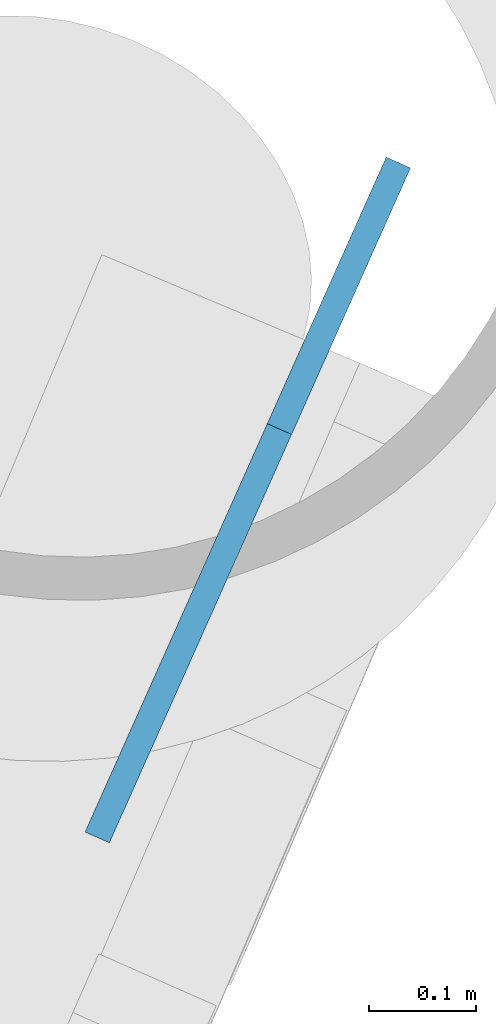
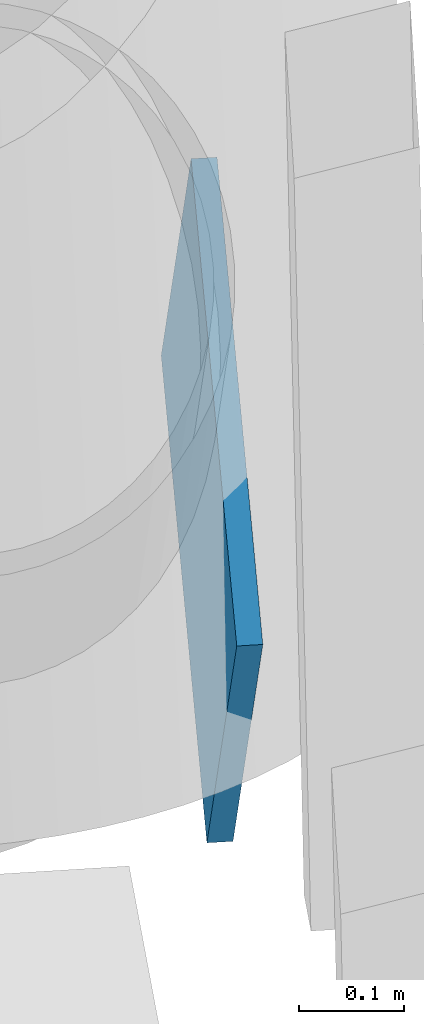
# One storey, part 14 of 23: 1 discrete accessory.
"""IFC4 building model written with IfcOpenShell, lengths in metres."""

from ifc_helpers import new_model, si_unit, direction, frame, origin, origin_2d, place, context, subcontext, project, spatial, rectangle, extrude, material, material_profile, profile_set, type_object, element, save


model = new_model("IFC4")

# Units and contexts
model_context = context("Model", 3, precision=1e-05, world=origin(), true_north=direction((0.0, 1.0)))
body_context = subcontext(model_context, "Body", "Model", "MODEL_VIEW")
ifc_project = project(units=[si_unit("LENGTHUNIT", "METRE"), si_unit("AREAUNIT", "SQUARE_METRE"), si_unit("VOLUMEUNIT", "CUBIC_METRE"), si_unit("PLANEANGLEUNIT", "RADIAN"), si_unit("MASSUNIT", "GRAM", prefix="KILO")], contexts=[model_context])

# Site, building, storey
site_placement = place(None, origin())
site = spatial("IfcSite", under=ifc_project, at=site_placement, CompositionType="ELEMENT")
building_placement = place(site_placement, origin())
building = spatial("IfcBuilding", under=site, at=building_placement, Name="Tarsis Ring Headquarters", CompositionType="ELEMENT")
storey_placement = place(building_placement, frame((0.0, 0.0, 323.60009765625)))
storey = spatial("IfcBuildingStorey", under=building, at=storey_placement, Name="L76", CompositionType="ELEMENT", Elevation=323.60009765625)

# Discrete accessory
ifc_material = material(Name="Structural steel S355", Category="steel")
ifc_material_profile = material_profile(ifc_material, rectangle(XDim=0.02490234375, YDim=0.5, at=origin_2d()), Name="PL 25x500")
ifc_profile_set = profile_set([ifc_material_profile], Name="Structural steel S355")
discrete_accessory_type = type_object("IfcDiscreteAccessoryType", Name="Gusset plate Exo brace 25", PredefinedType="BRACKET", material=ifc_profile_set)
discrete_accessory_placement = place(storey_placement, frame((28.691650390625, -5.983154296875, 0.0), z_axis=(-0.222764835912, -0.499266803295, 0.837322212179), x_axis=(0.913221018697, -0.407464564115, 0.0)))
element("IfcDiscreteAccessory", 1, at=discrete_accessory_placement, inside=storey, type_object=discrete_accessory_type, Name="Gusset plate GP5", PredefinedType="BRACKET", context=body_context, shape_type="SweptSolid", body=[
    extrude(rectangle(XDim=0.02490234375, YDim=0.5, at=origin_2d()), origin(), (0.0, 0.0, 1.0), 0.499755859375),
])

save(model, "model.ifc")
